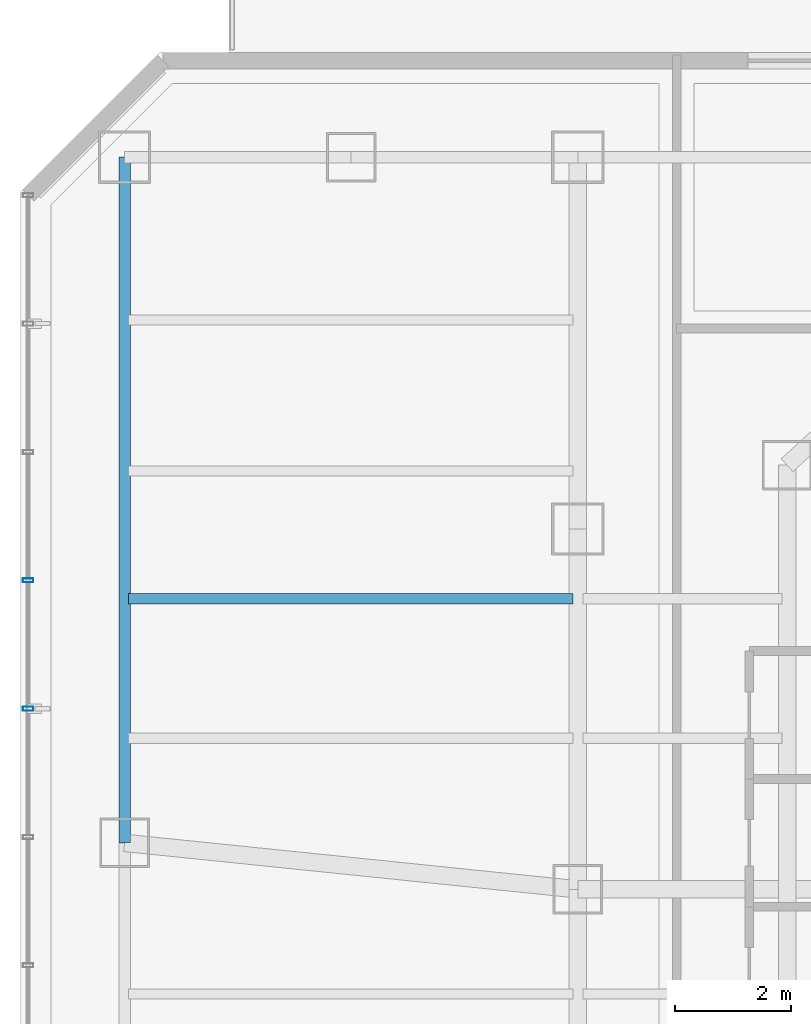
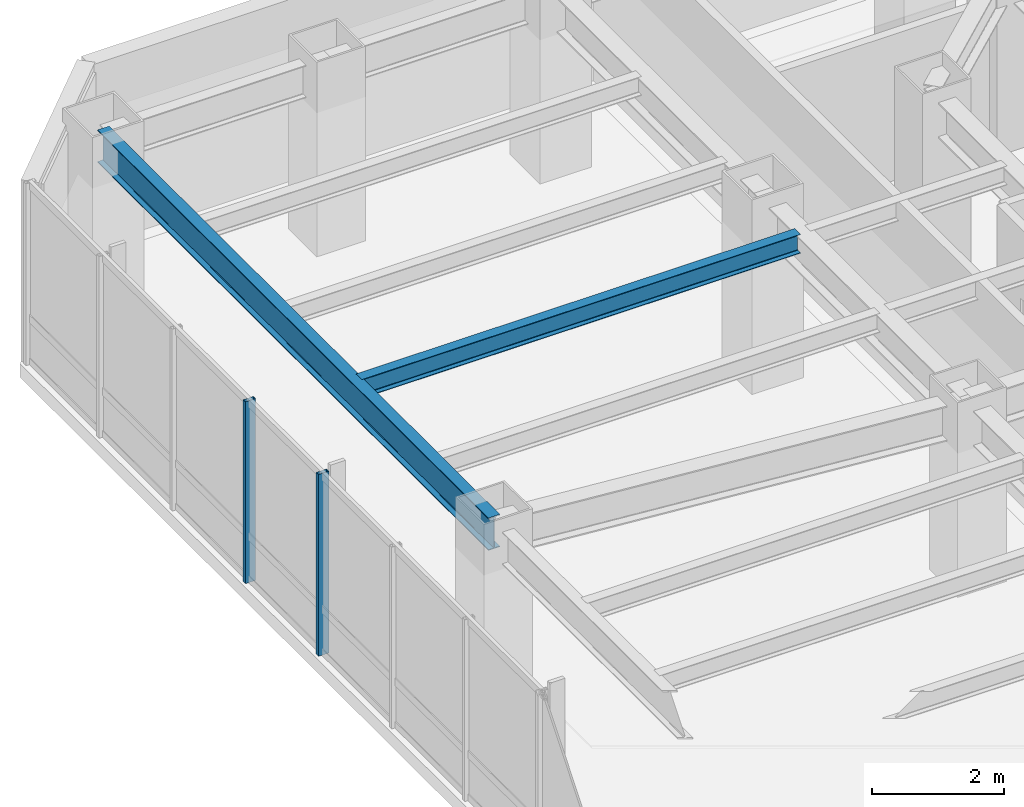
# One storey, part 15 of 29: 2 beams, 2 members, 1 element without a shape of its own.
"""IFC4 building model written with IfcOpenShell, lengths in metres."""

import ifcopenshell
import ifcopenshell.guid

model = None  # the IFC model being written
_history = None  # IfcOwnerHistory: only IFC2X3 demands one
_inside = {}  # id of a spatial element -> (the spatial element, [elements in it])
_under = {}  # id of a project, library or spatial element -> (it, [spatial elements below it])
_declared = {}  # id of a project -> (the project, [libraries it declares])
_typed = {}  # id of a type object -> (the type object, [elements of that type])
_made_of = {}  # id of a material, layer set ... -> (it, [elements and type objects made of it])


def new_model(schema):
    """Start an empty IFC model of exactly this schema.

    Asked for "IFC4X3", IfcOpenShell would pick the latest addendum, in which some entities
    have other attributes; the version numbers below select the first issue.
    IFC2X3 requires an IfcOwnerHistory on every rooted entity: one is made here for all.
    """
    global model, _history
    if schema == "IFC4X3":
        model = ifcopenshell.file(schema_version=(4, 3, 0, 0))
    else:
        model = ifcopenshell.file(schema=schema)
    _inside.clear()
    _under.clear()
    _declared.clear()
    _typed.clear()
    _made_of.clear()
    _history = None
    if model.schema == "IFC2X3":
        org = make("IfcOrganization", Name="unknown")
        user = make(
            "IfcPersonAndOrganization",
            ThePerson=make("IfcPerson", FamilyName="unknown"),
            TheOrganization=org,
        )
        app = make(
            "IfcApplication",
            ApplicationDeveloper=org,
            Version="unknown",
            ApplicationFullName="unknown",
            ApplicationIdentifier="unknown",
        )
        _history = make(
            "IfcOwnerHistory",
            OwningUser=user,
            OwningApplication=app,
            ChangeAction="ADDED",
            CreationDate=0,
        )
    return model


def make(cls, **values):
    """One entity of the class cls with the attributes given. An attribute that is None is left unset."""
    return model.create_entity(
        cls, **{name: value for name, value in values.items() if value is not None}
    )


def rooted(cls, **values):
    """An entity with a GlobalId (a new one), such as an element, a storey or a relation."""
    return make(cls, GlobalId=ifcopenshell.guid.new(), OwnerHistory=_history, **values)


def si_unit(unit_type, name, prefix=None):
    """IfcSIUnit, for example si_unit("LENGTHUNIT", "METRE", prefix="MILLI")."""
    return make("IfcSIUnit", UnitType=unit_type, Prefix=prefix, Name=name)


def assignment(units):
    """IfcUnitAssignment: the units of a project."""
    return None if units is None else make("IfcUnitAssignment", Units=units)


def point(xyz):
    """IfcCartesianPoint."""
    return None if xyz is None else make("IfcCartesianPoint", Coordinates=xyz)


def direction(xyz):
    """IfcDirection."""
    return None if xyz is None else make("IfcDirection", DirectionRatios=xyz)


def frame(location, z_axis=None, x_axis=None):
    """IfcAxis2Placement3D, a coordinate frame: its origin and axes. An axis left out is left unset."""
    return make(
        "IfcAxis2Placement3D",
        Location=point(location),
        Axis=direction(z_axis),
        RefDirection=direction(x_axis),
    )


def frame_2d(location, x_axis=None):
    """IfcAxis2Placement2D, a coordinate frame in the plane: its origin and x axis."""
    return make(
        "IfcAxis2Placement2D", Location=point(location), RefDirection=direction(x_axis)
    )


def origin():
    """The frame at (0, 0, 0) with its axes left unset."""
    return frame((0.0, 0.0, 0.0))


def origin_2d():
    """The frame at (0, 0) in the plane with its x axis left unset."""
    return frame_2d((0.0, 0.0))


def place(relative_to, where):
    """IfcLocalPlacement: puts the frame where relative to a parent placement (None: the world)."""
    return make(
        "IfcLocalPlacement", PlacementRelTo=relative_to, RelativePlacement=where
    )


def context(
    kind, dimensions, precision=None, world=None, true_north=None, identifier=None
):
    """IfcGeometricRepresentationContext, for example the 3D "Model" context."""
    return make(
        "IfcGeometricRepresentationContext",
        ContextIdentifier=identifier,
        ContextType=kind,
        CoordinateSpaceDimension=dimensions,
        Precision=precision,
        WorldCoordinateSystem=world,
        TrueNorth=true_north,
    )


def subcontext(parent, identifier, kind, view, scale=None):
    """IfcGeometricRepresentationSubContext, for example "Body" below "Model"."""
    return make(
        "IfcGeometricRepresentationSubContext",
        ContextIdentifier=identifier,
        ContextType=kind,
        ParentContext=parent,
        TargetScale=scale,
        TargetView=view,
    )


def project(units=None, contexts=None):
    """IfcProject with its units and contexts."""
    return rooted(
        "IfcProject",
        Name="project",
        RepresentationContexts=contexts,
        UnitsInContext=assignment(units),
    )


def spatial(cls, under=None, at=None, **own):
    """A site, building, storey or space (cls), placed at a placement, below another one or the project."""
    s = rooted(cls, ObjectPlacement=at, **own)
    if under is not None:
        _under.setdefault(under.id(), (under, []))[1].append(s)
    return s


def profile(cls, at=None, kind="AREA", **sizes):
    """A parametric profile (cls). Its sizes go by their IFC names, for example OverallWidth=200.0."""
    return make(cls, ProfileType=kind, Position=at, **sizes)


def hollow_rectangle(**sizes):
    """IfcRectangleHollowProfileDef."""
    return profile("IfcRectangleHollowProfileDef", **sizes)


def i_section(**sizes):
    """IfcIShapeProfileDef."""
    return profile("IfcIShapeProfileDef", **sizes)


def extrude(swept, where, along, depth):
    """IfcExtrudedAreaSolid: the profile swept, set in the frame where, extruded along a direction by depth."""
    return make(
        "IfcExtrudedAreaSolid",
        SweptArea=swept,
        Position=where,
        ExtrudedDirection=direction(along),
        Depth=depth,
    )


def shape(context_of_items, identifier, shape_type, items):
    """IfcShapeRepresentation: the items that make up one representation, for example the "Body"."""
    return make(
        "IfcShapeRepresentation",
        ContextOfItems=context_of_items,
        RepresentationIdentifier=identifier,
        RepresentationType=shape_type,
        Items=items,
    )


def material(Name=None, Category=None):
    """IfcMaterial."""
    return make("IfcMaterial", Name=Name, Category=Category)


def layer(
    of_material, thickness, ventilated=None, Name=None, Category=None, Priority=None
):
    """IfcMaterialLayer: one layer of a wall or slab, of a material (None: an air gap)."""
    return make(
        "IfcMaterialLayer",
        Material=of_material,
        LayerThickness=thickness,
        IsVentilated=ventilated,
        Name=Name,
        Category=Category,
        Priority=Priority,
    )


def layer_set(layers, Name=None):
    """IfcMaterialLayerSet."""
    return make("IfcMaterialLayerSet", MaterialLayers=layers, LayerSetName=Name)


def material_profile(
    of_material, cross_section, Name=None, Category=None, Priority=None
):
    """IfcMaterialProfile: a cross section and its material."""
    return make(
        "IfcMaterialProfile",
        Name=Name,
        Material=of_material,
        Profile=cross_section,
        Priority=Priority,
        Category=Category,
    )


def profile_set(profiles, Name=None, composite=None):
    """IfcMaterialProfileSet."""
    return make(
        "IfcMaterialProfileSet",
        Name=Name,
        MaterialProfiles=profiles,
        CompositeProfile=composite,
    )


def made_of(thing, what):
    """Note that an element or type object is made of a material, layer set ...; save() writes the relation."""
    if what is not None:
        _made_of.setdefault(what.id(), (what, []))[1].append(thing)
    return thing


def type_object(cls, material=None, **own):
    """A type object (cls), such as IfcWallType, which elements share."""
    return made_of(rooted(cls, **own), material)


def element(
    cls,
    number,
    at=None,
    inside=None,
    cuts=None,
    type_object=None,
    material=None,
    context=None,
    identifier="Body",
    shape_type=None,
    held_by="IfcProductDefinitionShape",
    body=None,
    shapes=None,
    **own,
):
    """One element of the class cls, such as IfcWall. Its Tag is "e" and its number.

    at: its placement. inside: the storey or other place that contains it. cuts: it is an
    opening in that element (IfcRelVoidsElement). A single representation is given by context,
    identifier, shape_type and body (its items); several are given by shapes. held_by: the class
    of the entity that holds the representations. save() writes the other relations.
    """
    e = rooted(cls, Tag="e%d" % number, ObjectPlacement=at, **own)
    if body is not None:
        shapes = [shape(context, identifier, shape_type, body)]
    if shapes is not None:
        e.Representation = make(held_by, Representations=shapes)
    if inside is not None:
        _inside.setdefault(inside.id(), (inside, []))[1].append(e)
    if cuts is not None:
        rooted(
            "IfcRelVoidsElement", RelatingBuildingElement=cuts, RelatedOpeningElement=e
        )
    if type_object is not None:
        _typed.setdefault(type_object.id(), (type_object, []))[1].append(e)
    return made_of(e, material)


def aggregate(whole, parts):
    """IfcRelAggregates: a whole, such as a stair, and the parts it consists of."""
    return rooted("IfcRelAggregates", RelatingObject=whole, RelatedObjects=parts)


def save(model, path):
    """Write the relations noted so far, then the file.

    IfcRelAggregates (storeys below a building ...), IfcRelContainedInSpatialStructure (elements
    in a storey), IfcRelDefinesByType, IfcRelAssociatesMaterial and IfcRelDeclares: one each for
    every whole, place, type object, material and project.
    """
    for whole, parts in _under.values():
        aggregate(whole, parts)
    for where, things in _inside.values():
        rooted(
            "IfcRelContainedInSpatialStructure",
            RelatedElements=things,
            RelatingStructure=where,
        )
    for kind, things in _typed.values():
        rooted("IfcRelDefinesByType", RelatedObjects=things, RelatingType=kind)
    for what, things in _made_of.values():
        rooted("IfcRelAssociatesMaterial", RelatedObjects=things, RelatingMaterial=what)
    for by, libraries in _declared.values():
        rooted("IfcRelDeclares", RelatingContext=by, RelatedDefinitions=libraries)
    model.write(path)


model = new_model("IFC4")

# Units and contexts
model_context = context("Model", 3, precision=1e-05, world=origin(), true_north=direction((0.0, 1.0)))
body_context = subcontext(model_context, "Body", "Model", "MODEL_VIEW")
ifc_project = project(units=[si_unit("LENGTHUNIT", "METRE"), si_unit("AREAUNIT", "SQUARE_METRE"), si_unit("VOLUMEUNIT", "CUBIC_METRE"), si_unit("PLANEANGLEUNIT", "RADIAN"), si_unit("MASSUNIT", "GRAM", prefix="KILO")], contexts=[model_context])

# Site, building, storey
site_placement = place(None, origin())
site = spatial("IfcSite", under=ifc_project, at=site_placement, CompositionType="ELEMENT")
building_placement = place(site_placement, origin())
building = spatial("IfcBuilding", under=site, at=building_placement, Name="Hatsunagi Terrace Concourse", CompositionType="ELEMENT")
storey_placement = place(building_placement, frame((0.0, 0.0, 115.64990234375)))
storey = spatial("IfcBuildingStorey", under=building, at=storey_placement, Name="L30", CompositionType="ELEMENT", Elevation=115.64990234375)

# Curtain wall, members
ifc_material_1 = material(Name="Anodised Aluminium Alloy 6063-T5", Category="aluminium")
ifc_layer = layer(ifc_material_1, 0.199951171875)
ifc_layer_set = layer_set([ifc_layer], Name="OfficeZone1_CW03")
curtain_wall_type = type_object("IfcCurtainWallType", Name="OfficeZone1_CW03", PredefinedType="NOTDEFINED", material=ifc_layer_set)
curtain_wall_placement = place(storey_placement, origin())
curtain_wall = element("IfcCurtainWall", 1, at=curtain_wall_placement, inside=storey, type_object=curtain_wall_type, Name="Unitised Curtain Wall CW-03 CW-L30-09", PredefinedType="NOTDEFINED")
ifc_material_2 = material(Name="Anodised Aluminium Alloy 6063-T5", Category="aluminium")
ifc_material_profile_1 = material_profile(ifc_material_2, hollow_rectangle(XDim=0.070068359375, YDim=0.179931640625, WallThickness=0.00390625, at=origin_2d()), Name="ALU-MUL-180x70x4")
ifc_profile_set_1 = profile_set([ifc_material_profile_1], Name="Anodised Aluminium Alloy 6063-T5")
member_type = type_object("IfcMemberType", Name="CurtainWallMullion_180x70", PredefinedType="MULLION", material=ifc_profile_set_1)
member_1_placement = place(storey_placement, frame((9.739990234375, 39.10791015625, 0.0), z_axis=(0.0, 0.0, 1.0), x_axis=(0.0, 1.0, 0.0)))
member_1 = element("IfcMember", 2, at=member_1_placement, type_object=member_type, Name="Curtain Wall Mullion MUL-02", PredefinedType="MULLION", context=body_context, shape_type="SweptSolid", body=[
    extrude(hollow_rectangle(XDim=0.070068359375, YDim=0.179931640625, WallThickness=0.00390625, at=origin_2d()), origin(), (0.0, 0.0, 1.0), 3.35009765625),
])
member_2_placement = place(storey_placement, frame((9.739990234375, 41.31689453125, 0.0), z_axis=(0.0, 0.0, 1.0), x_axis=(0.0, 1.0, 0.0)))
member_2 = element("IfcMember", 3, at=member_2_placement, type_object=member_type, Name="Curtain Wall Mullion MUL-02", PredefinedType="MULLION", context=body_context, shape_type="SweptSolid", body=[
    extrude(hollow_rectangle(XDim=0.070068359375, YDim=0.179931640625, WallThickness=0.00390625, at=origin_2d()), origin(), (0.0, 0.0, 1.0), 3.35009765625),
])
aggregate(curtain_wall, [member_1, member_2])

# Beams
ifc_material_3 = material(Name="Steel SN490B", Category="steel")
ifc_material_profile_2 = material_profile(ifc_material_3, i_section(OverallWidth=0.175048828125, OverallDepth=0.35009765625, WebThickness=0.007080078125, FlangeThickness=0.010986328125, FilletRadius=0.012939453125, at=origin_2d()), Name="H-350x175x7x11")
ifc_profile_set_2 = profile_set([ifc_material_profile_2], Name="Steel SN490B")
beam_type_1 = type_object("IfcBeamType", Name="HotelJoist_H_350x175", PredefinedType="JOIST", material=ifc_profile_set_2)
beam_1_placement = place(storey_placement, frame((11.465087890625, 41.0, 3.175048828125), z_axis=(1.0, 0.0, 0.0), x_axis=(0.0, 1.0, 0.0)))
element("IfcBeam", 4, at=beam_1_placement, inside=storey, type_object=beam_type_1, Name="Beam J-02 J-L30-W-11-410", PredefinedType="JOIST", context=body_context, shape_type="SweptSolid", body=[
    extrude(i_section(OverallWidth=0.175048828125, OverallDepth=0.35009765625, WebThickness=0.007080078125, FlangeThickness=0.010986328125, FilletRadius=0.012939453125, at=origin_2d()), origin(), (0.0, 0.0, 1.0), 7.64990234375),
])
ifc_material_4 = material(Name="Steel SN490B", Category="steel")
ifc_material_profile_3 = material_profile(ifc_material_4, i_section(OverallWidth=0.199951171875, OverallDepth=0.60009765625, WebThickness=0.010986328125, FlangeThickness=0.01708984375, FilletRadius=0.01806640625, at=origin_2d()), Name="H-600x200x11x17")
ifc_profile_set_3 = profile_set([ifc_material_profile_3], Name="Steel SN490B")
beam_type_2 = type_object("IfcBeamType", Name="PerimeterSpandrel_H_600x200", PredefinedType="SPANDREL", material=ifc_profile_set_3)
beam_2_placement = place(storey_placement, frame((11.39990234375, 36.800048828125, 3.050048828125), z_axis=(0.0, 1.0, 0.0), x_axis=(-1.0, 0.0, 0.0)))
element("IfcBeam", 5, at=beam_2_placement, inside=storey, type_object=beam_type_2, Name="Beam SP-01 BM-L30-NS-11-36", PredefinedType="SPANDREL", context=body_context, shape_type="SweptSolid", body=[
    extrude(i_section(OverallWidth=0.199951171875, OverallDepth=0.60009765625, WebThickness=0.010986328125, FlangeThickness=0.01708984375, FilletRadius=0.01806640625, at=origin_2d()), origin(), (0.0, 0.0, 1.0), 11.800048828125),
])

save(model, "model.ifc")
